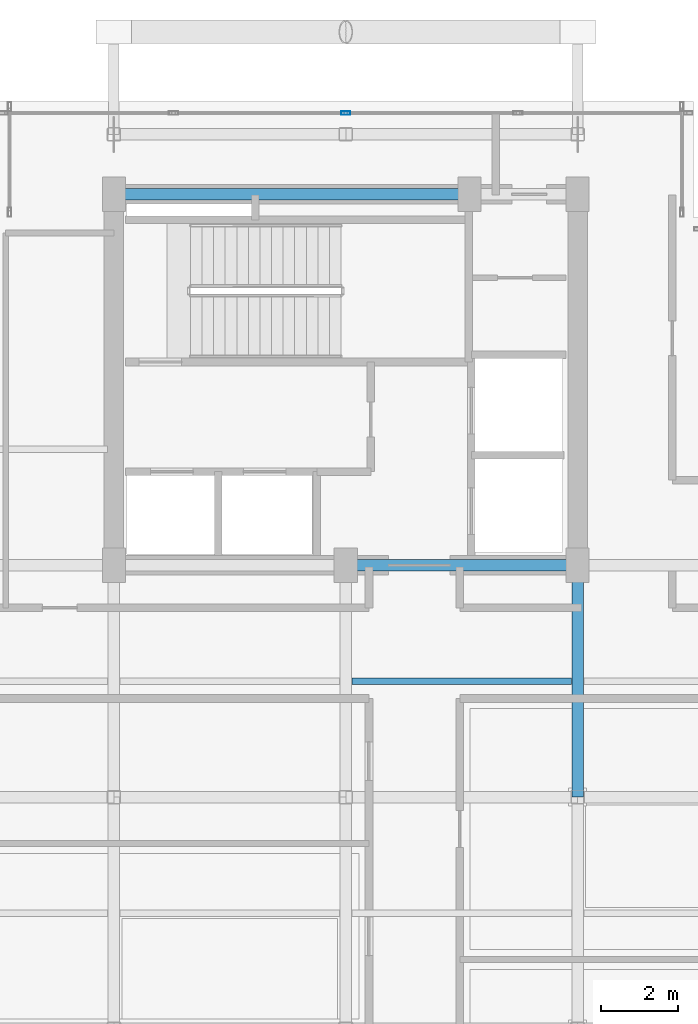
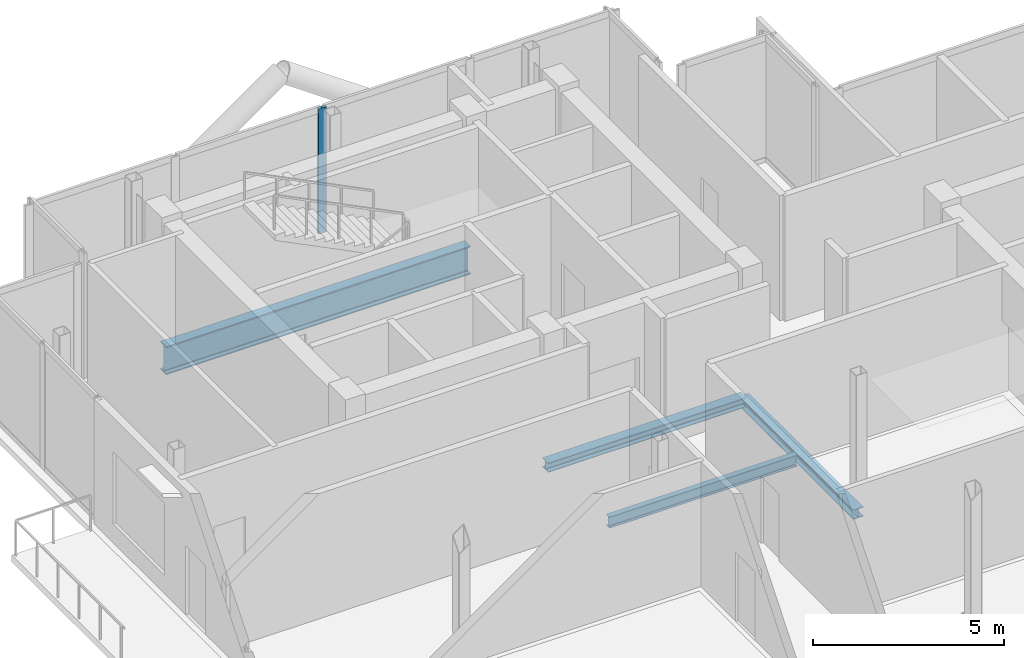
# One storey, part 6 of 16: 4 beams, 1 member, 1 element without a shape of its own.
"""IFC4 building model written with IfcOpenShell, lengths in metres."""

from ifc_helpers import new_model, si_unit, direction, frame, origin, origin_2d, place, context, subcontext, project, spatial, hollow_rectangle, i_section, extrude, material, layer, layer_set, material_profile, profile_set, type_object, element, aggregate, save


model = new_model("IFC4")

# Units and contexts
model_context = context("Model", 3, precision=1e-05, world=origin(), true_north=direction((0.0, 1.0)))
body_context = subcontext(model_context, "Body", "Model", "MODEL_VIEW")
ifc_project = project(units=[si_unit("LENGTHUNIT", "METRE"), si_unit("AREAUNIT", "SQUARE_METRE"), si_unit("VOLUMEUNIT", "CUBIC_METRE"), si_unit("PLANEANGLEUNIT", "RADIAN"), si_unit("MASSUNIT", "GRAM", prefix="KILO"), si_unit("THERMODYNAMICTEMPERATUREUNIT", "KELVIN"), si_unit("POWERUNIT", "WATT")], contexts=[model_context])

# Site, building, storey
site_placement = place(None, origin())
site = spatial("IfcSite", under=ifc_project, at=site_placement, CompositionType="ELEMENT")
building_placement = place(site_placement, origin())
building = spatial("IfcBuilding", under=site, at=building_placement, Name="Svarakhadi Broadcast Tower", CompositionType="ELEMENT")
storey_placement = place(building_placement, frame((0.0, 0.0, 292.199951171875)))
storey = spatial("IfcBuildingStorey", under=building, at=storey_placement, Name="L74", CompositionType="ELEMENT", Elevation=292.199951171875)

# Beam
ifc_material_1 = material(Name="Steel S355J2 (IS 2062 E350C)", Category="steel")
ifc_material_profile_1 = material_profile(ifc_material_1, i_section(OverallWidth=0.169921875, OverallDepth=0.360107421875, WebThickness=0.008056640625, FlangeThickness=0.0126953125, FilletRadius=0.01806640625, at=origin_2d()), Name="NPB 360x170x57")
ifc_profile_set_1 = profile_set([ifc_material_profile_1], Name="Steel S355J2 (IS 2062 E350C)")
beam_type_1 = type_object("IfcBeamType", Name="Beam_NPB360", PredefinedType="BEAM", material=ifc_profile_set_1)
beam_1_placement = place(storey_placement, frame((12.159912109375, 15.0, -0.3798828125), z_axis=(1.0, 0.0, 0.0), x_axis=(0.0, 1.0, 0.0)))
element("IfcBeam", 1, at=beam_1_placement, inside=storey, type_object=beam_type_1, Name="L74 Secondary Composite Beam SB009", PredefinedType="BEAM", context=body_context, shape_type="SweptSolid", body=[
    extrude(i_section(OverallWidth=0.169921875, OverallDepth=0.360107421875, WebThickness=0.008056640625, FlangeThickness=0.0126953125, FilletRadius=0.01806640625, at=origin_2d()), origin(), (0.0, 0.0, 1.0), 5.68017578125),
])

# Curtain wall, member
ifc_material_2 = material(Name="Anodised Bronze Aluminium AA 6063-T6", Category="aluminium")
ifc_layer = layer(ifc_material_2, 0.239990234375)
ifc_layer_set = layer_set([ifc_layer], Name="Anodised Bronze Aluminium AA 6063-T6")
curtain_wall_type = type_object("IfcCurtainWallType", Name="CW_Sys_06", PredefinedType="NOTDEFINED", material=ifc_layer_set)
curtain_wall_placement = place(storey_placement, origin())
curtain_wall = element("IfcCurtainWall", 2, at=curtain_wall_placement, inside=storey, type_object=curtain_wall_type, Name="L74 Unitised Facade Curtain Wall 06", PredefinedType="NOTDEFINED")
ifc_material_profile_2 = material_profile(ifc_material_2, hollow_rectangle(XDim=0.090087890625, YDim=0.239990234375, WallThickness=0.006103515625, at=origin_2d()), Name="ALU MULLION 240x90x6")
ifc_profile_set_2 = profile_set([ifc_material_profile_2], Name="Anodised Bronze Aluminium AA 6063-T6")
member_type = type_object("IfcMemberType", Name="CW_Sys_06_Mul", PredefinedType="MULLION", material=ifc_profile_set_2)
member_placement = place(storey_placement, frame((12.0, 29.699951171875, 0.0), z_axis=(0.0, 0.0, 1.0), x_axis=(0.0, 1.0, 0.0)))
member = element("IfcMember", 3, at=member_placement, type_object=member_type, Name="CW-06 mullion 3", PredefinedType="MULLION", context=body_context, shape_type="SweptSolid", body=[
    extrude(hollow_rectangle(XDim=0.090087890625, YDim=0.239990234375, WallThickness=0.006103515625, at=origin_2d()), origin(), (0.0, 0.0, 1.0), 4.0),
])
aggregate(curtain_wall, [member])

# Beams
ifc_material_profile_3 = material_profile(ifc_material_1, i_section(OverallWidth=0.300048828125, OverallDepth=0.300048828125, WebThickness=0.010986328125, FlangeThickness=0.01904296875, FilletRadius=0.027099609375, at=origin_2d()), Name="WPB 300x300x117")
ifc_profile_set_3 = profile_set([ifc_material_profile_3], Name="Steel S355J2 (IS 2062 E350C)")
beam_type_2 = type_object("IfcBeamType", Name="Girder_WPB300", PredefinedType="USERDEFINED", material=ifc_profile_set_3)
for number, where, z_axis, x_axis, name in (
    (4, (12.0, 18.0, -0.349853515625), (1.0, 0.0, 0.0), (0.0, 1.0, 0.0), "L74 Primary E-W Girder G019"),
    (5, (18.0, 12.0, -0.349853515625), (0.0, 1.0, 0.0), (-1.0, 0.0, 0.0), "L74 Primary N-S Girder G038"),
):
    element("IfcBeam", number, at=place(storey_placement, frame(where, z_axis=z_axis, x_axis=x_axis)), inside=storey, type_object=beam_type_2, Name=name, ObjectType="GIRDER", PredefinedType="USERDEFINED", context=body_context, shape_type="SweptSolid", body=[
        extrude(i_section(OverallWidth=0.300048828125, OverallDepth=0.300048828125, WebThickness=0.010986328125, FlangeThickness=0.01904296875, FilletRadius=0.027099609375, at=origin_2d()), origin(), (0.0, 0.0, 1.0), 6.0),
    ])
ifc_material_3 = material(Name="Steel S460ML (IS 2062 E450BR)", Category="steel")
ifc_material_profile_4 = material_profile(ifc_material_3, i_section(OverallWidth=0.300048828125, OverallDepth=0.89990234375, WebThickness=0.0185546875, FlangeThickness=0.034912109375, FilletRadius=0.030029296875, at=origin_2d()), Name="WPB 900x300x291")
ifc_profile_set_4 = profile_set([ifc_material_profile_4], Name="Steel S460ML (IS 2062 E450BR)")
beam_type_3 = type_object("IfcBeamType", Name="Girder_WPB900", PredefinedType="USERDEFINED", material=ifc_profile_set_4)
beam_2_placement = place(storey_placement, frame((6.0, 27.60009765625, -0.64990234375), z_axis=(1.0, 0.0, 0.0), x_axis=(0.0, 1.0, 0.0)))
element("IfcBeam", 6, at=beam_2_placement, inside=storey, type_object=beam_type_3, Name="L74 Primary E-W Girder G022", ObjectType="GIRDER", PredefinedType="USERDEFINED", context=body_context, shape_type="SweptSolid", body=[
    extrude(i_section(OverallWidth=0.300048828125, OverallDepth=0.89990234375, WebThickness=0.0185546875, FlangeThickness=0.034912109375, FilletRadius=0.030029296875, at=origin_2d()), origin(), (0.0, 0.0, 1.0), 9.199951171875),
])

save(model, "model.ifc")
